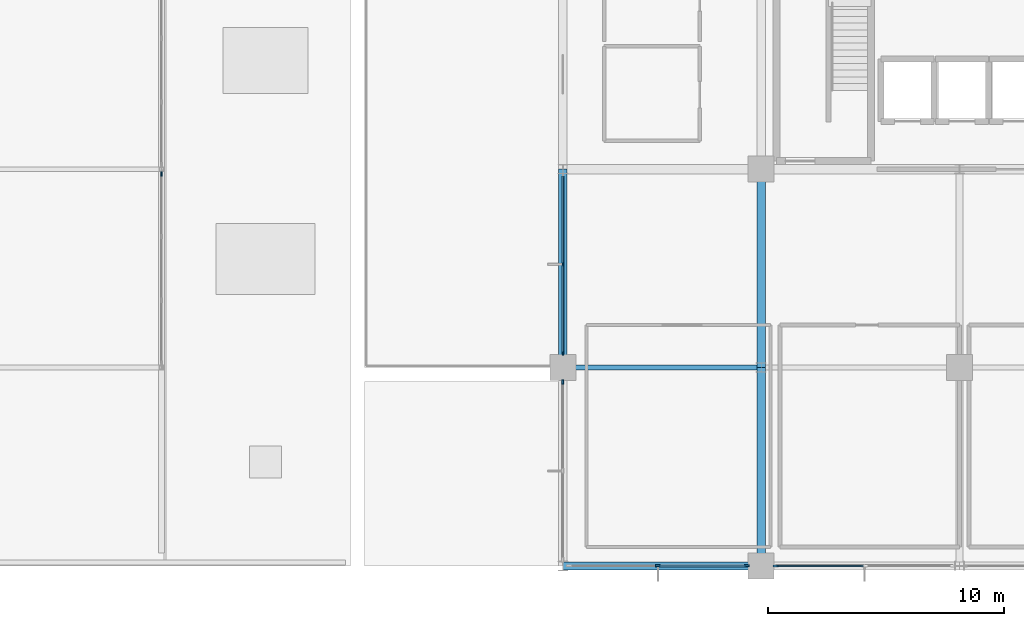
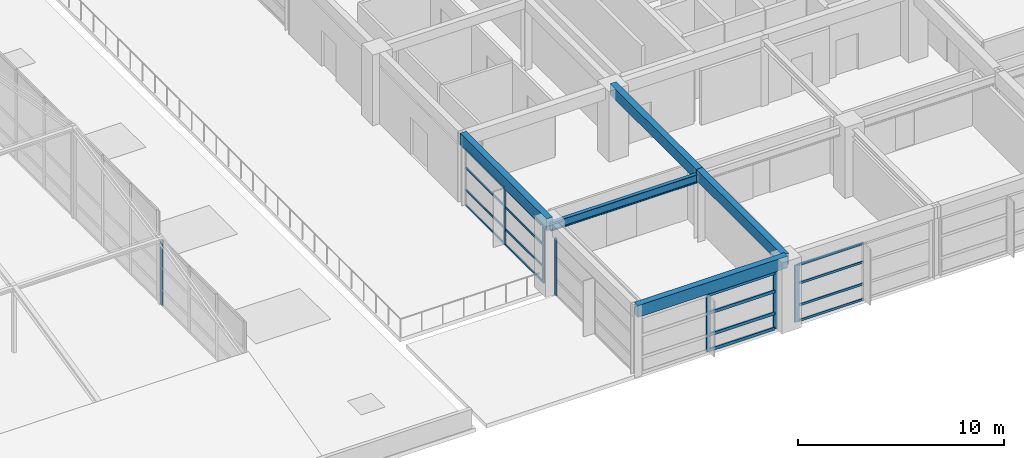
# One storey, part 17 of 34: 23 members, 5 beams, 5 elements without a shape of their own.
"""IFC4 building model written with IfcOpenShell, lengths in metres."""

import ifcopenshell
import ifcopenshell.guid

model = None  # the IFC model being written
_history = None  # IfcOwnerHistory: only IFC2X3 demands one
_inside = {}  # id of a spatial element -> (the spatial element, [elements in it])
_under = {}  # id of a project, library or spatial element -> (it, [spatial elements below it])
_declared = {}  # id of a project -> (the project, [libraries it declares])
_typed = {}  # id of a type object -> (the type object, [elements of that type])
_made_of = {}  # id of a material, layer set ... -> (it, [elements and type objects made of it])


def new_model(schema):
    """Start an empty IFC model of exactly this schema.

    Asked for "IFC4X3", IfcOpenShell would pick the latest addendum, in which some entities
    have other attributes; the version numbers below select the first issue.
    IFC2X3 requires an IfcOwnerHistory on every rooted entity: one is made here for all.
    """
    global model, _history
    if schema == "IFC4X3":
        model = ifcopenshell.file(schema_version=(4, 3, 0, 0))
    else:
        model = ifcopenshell.file(schema=schema)
    _inside.clear()
    _under.clear()
    _declared.clear()
    _typed.clear()
    _made_of.clear()
    _history = None
    if model.schema == "IFC2X3":
        org = make("IfcOrganization", Name="unknown")
        user = make(
            "IfcPersonAndOrganization",
            ThePerson=make("IfcPerson", FamilyName="unknown"),
            TheOrganization=org,
        )
        app = make(
            "IfcApplication",
            ApplicationDeveloper=org,
            Version="unknown",
            ApplicationFullName="unknown",
            ApplicationIdentifier="unknown",
        )
        _history = make(
            "IfcOwnerHistory",
            OwningUser=user,
            OwningApplication=app,
            ChangeAction="ADDED",
            CreationDate=0,
        )
    return model


def make(cls, **values):
    """One entity of the class cls with the attributes given. An attribute that is None is left unset."""
    return model.create_entity(
        cls, **{name: value for name, value in values.items() if value is not None}
    )


def rooted(cls, **values):
    """An entity with a GlobalId (a new one), such as an element, a storey or a relation."""
    return make(cls, GlobalId=ifcopenshell.guid.new(), OwnerHistory=_history, **values)


def si_unit(unit_type, name, prefix=None):
    """IfcSIUnit, for example si_unit("LENGTHUNIT", "METRE", prefix="MILLI")."""
    return make("IfcSIUnit", UnitType=unit_type, Prefix=prefix, Name=name)


def assignment(units):
    """IfcUnitAssignment: the units of a project."""
    return None if units is None else make("IfcUnitAssignment", Units=units)


def point(xyz):
    """IfcCartesianPoint."""
    return None if xyz is None else make("IfcCartesianPoint", Coordinates=xyz)


def direction(xyz):
    """IfcDirection."""
    return None if xyz is None else make("IfcDirection", DirectionRatios=xyz)


def frame(location, z_axis=None, x_axis=None):
    """IfcAxis2Placement3D, a coordinate frame: its origin and axes. An axis left out is left unset."""
    return make(
        "IfcAxis2Placement3D",
        Location=point(location),
        Axis=direction(z_axis),
        RefDirection=direction(x_axis),
    )


def frame_2d(location, x_axis=None):
    """IfcAxis2Placement2D, a coordinate frame in the plane: its origin and x axis."""
    return make(
        "IfcAxis2Placement2D", Location=point(location), RefDirection=direction(x_axis)
    )


def origin():
    """The frame at (0, 0, 0) with its axes left unset."""
    return frame((0.0, 0.0, 0.0))


def origin_2d():
    """The frame at (0, 0) in the plane with its x axis left unset."""
    return frame_2d((0.0, 0.0))


def place(relative_to, where):
    """IfcLocalPlacement: puts the frame where relative to a parent placement (None: the world)."""
    return make(
        "IfcLocalPlacement", PlacementRelTo=relative_to, RelativePlacement=where
    )


def context(
    kind, dimensions, precision=None, world=None, true_north=None, identifier=None
):
    """IfcGeometricRepresentationContext, for example the 3D "Model" context."""
    return make(
        "IfcGeometricRepresentationContext",
        ContextIdentifier=identifier,
        ContextType=kind,
        CoordinateSpaceDimension=dimensions,
        Precision=precision,
        WorldCoordinateSystem=world,
        TrueNorth=true_north,
    )


def subcontext(parent, identifier, kind, view, scale=None):
    """IfcGeometricRepresentationSubContext, for example "Body" below "Model"."""
    return make(
        "IfcGeometricRepresentationSubContext",
        ContextIdentifier=identifier,
        ContextType=kind,
        ParentContext=parent,
        TargetScale=scale,
        TargetView=view,
    )


def project(units=None, contexts=None):
    """IfcProject with its units and contexts."""
    return rooted(
        "IfcProject",
        Name="project",
        RepresentationContexts=contexts,
        UnitsInContext=assignment(units),
    )


def spatial(cls, under=None, at=None, **own):
    """A site, building, storey or space (cls), placed at a placement, below another one or the project."""
    s = rooted(cls, ObjectPlacement=at, **own)
    if under is not None:
        _under.setdefault(under.id(), (under, []))[1].append(s)
    return s


def profile(cls, at=None, kind="AREA", **sizes):
    """A parametric profile (cls). Its sizes go by their IFC names, for example OverallWidth=200.0."""
    return make(cls, ProfileType=kind, Position=at, **sizes)


def rectangle(**sizes):
    """IfcRectangleProfileDef."""
    return profile("IfcRectangleProfileDef", **sizes)


def i_section(**sizes):
    """IfcIShapeProfileDef."""
    return profile("IfcIShapeProfileDef", **sizes)


def extrude(swept, where, along, depth):
    """IfcExtrudedAreaSolid: the profile swept, set in the frame where, extruded along a direction by depth."""
    return make(
        "IfcExtrudedAreaSolid",
        SweptArea=swept,
        Position=where,
        ExtrudedDirection=direction(along),
        Depth=depth,
    )


def shape(context_of_items, identifier, shape_type, items):
    """IfcShapeRepresentation: the items that make up one representation, for example the "Body"."""
    return make(
        "IfcShapeRepresentation",
        ContextOfItems=context_of_items,
        RepresentationIdentifier=identifier,
        RepresentationType=shape_type,
        Items=items,
    )


def material(Name=None, Category=None):
    """IfcMaterial."""
    return make("IfcMaterial", Name=Name, Category=Category)


def material_profile(
    of_material, cross_section, Name=None, Category=None, Priority=None
):
    """IfcMaterialProfile: a cross section and its material."""
    return make(
        "IfcMaterialProfile",
        Name=Name,
        Material=of_material,
        Profile=cross_section,
        Priority=Priority,
        Category=Category,
    )


def profile_set(profiles, Name=None, composite=None):
    """IfcMaterialProfileSet."""
    return make(
        "IfcMaterialProfileSet",
        Name=Name,
        MaterialProfiles=profiles,
        CompositeProfile=composite,
    )


def made_of(thing, what):
    """Note that an element or type object is made of a material, layer set ...; save() writes the relation."""
    if what is not None:
        _made_of.setdefault(what.id(), (what, []))[1].append(thing)
    return thing


def type_object(cls, material=None, **own):
    """A type object (cls), such as IfcWallType, which elements share."""
    return made_of(rooted(cls, **own), material)


def element(
    cls,
    number,
    at=None,
    inside=None,
    cuts=None,
    type_object=None,
    material=None,
    context=None,
    identifier="Body",
    shape_type=None,
    held_by="IfcProductDefinitionShape",
    body=None,
    shapes=None,
    **own,
):
    """One element of the class cls, such as IfcWall. Its Tag is "e" and its number.

    at: its placement. inside: the storey or other place that contains it. cuts: it is an
    opening in that element (IfcRelVoidsElement). A single representation is given by context,
    identifier, shape_type and body (its items); several are given by shapes. held_by: the class
    of the entity that holds the representations. save() writes the other relations.
    """
    e = rooted(cls, Tag="e%d" % number, ObjectPlacement=at, **own)
    if body is not None:
        shapes = [shape(context, identifier, shape_type, body)]
    if shapes is not None:
        e.Representation = make(held_by, Representations=shapes)
    if inside is not None:
        _inside.setdefault(inside.id(), (inside, []))[1].append(e)
    if cuts is not None:
        rooted(
            "IfcRelVoidsElement", RelatingBuildingElement=cuts, RelatedOpeningElement=e
        )
    if type_object is not None:
        _typed.setdefault(type_object.id(), (type_object, []))[1].append(e)
    return made_of(e, material)


def aggregate(whole, parts):
    """IfcRelAggregates: a whole, such as a stair, and the parts it consists of."""
    return rooted("IfcRelAggregates", RelatingObject=whole, RelatedObjects=parts)


def save(model, path):
    """Write the relations noted so far, then the file.

    IfcRelAggregates (storeys below a building ...), IfcRelContainedInSpatialStructure (elements
    in a storey), IfcRelDefinesByType, IfcRelAssociatesMaterial and IfcRelDeclares: one each for
    every whole, place, type object, material and project.
    """
    for whole, parts in _under.values():
        aggregate(whole, parts)
    for where, things in _inside.values():
        rooted(
            "IfcRelContainedInSpatialStructure",
            RelatedElements=things,
            RelatingStructure=where,
        )
    for kind, things in _typed.values():
        rooted("IfcRelDefinesByType", RelatedObjects=things, RelatingType=kind)
    for what, things in _made_of.values():
        rooted("IfcRelAssociatesMaterial", RelatedObjects=things, RelatingMaterial=what)
    for by, libraries in _declared.values():
        rooted("IfcRelDeclares", RelatingContext=by, RelatedDefinitions=libraries)
    model.write(path)


model = new_model("IFC4")

# Units and contexts
model_context = context("Model", 3, precision=1e-05, world=origin(), true_north=direction((0.0, 1.0)))
body_context = subcontext(model_context, "Body", "Model", "MODEL_VIEW")
ifc_project = project(units=[si_unit("LENGTHUNIT", "METRE"), si_unit("AREAUNIT", "SQUARE_METRE"), si_unit("VOLUMEUNIT", "CUBIC_METRE"), si_unit("PLANEANGLEUNIT", "RADIAN"), si_unit("MASSUNIT", "GRAM", prefix="KILO")], contexts=[model_context])

# Site, building, storey
site_placement = place(None, origin())
site = spatial("IfcSite", under=ifc_project, at=site_placement, CompositionType="ELEMENT")
building_placement = place(site_placement, origin())
building = spatial("IfcBuilding", under=site, at=building_placement, Name="Xuanlan Plaza Opera House", CompositionType="ELEMENT")
storey_placement = place(building_placement, frame((0.0, 0.0, 27.89990234375)))
storey = spatial("IfcBuildingStorey", under=building, at=storey_placement, Name="L06", CompositionType="ELEMENT", Elevation=27.89990234375)

# Curtain wall, members
ifc_material_1 = material(Name="Anodised Aluminium 6063-T6 and Low-E Glass", Category="aluminium")
curtain_wall_type_1 = type_object("IfcCurtainWallType", Name="ENV-CW-CW-03", PredefinedType="USERDEFINED", material=ifc_material_1)
curtain_wall_1_placement = place(storey_placement, origin())
curtain_wall_1 = element("IfcCurtainWall", 1, at=curtain_wall_1_placement, inside=storey, type_object=curtain_wall_type_1, Name="Unitised Curtain Wall L06-019", ObjectType="UNITISED CURTAIN WALL", PredefinedType="USERDEFINED")
ifc_material_2 = material(Name="Anodised Aluminium 6063-T6", Category="aluminium")
ifc_material_profile_1 = material_profile(ifc_material_2, rectangle(XDim=0.070068359375, YDim=0.179931640625, at=origin_2d()), Name="ALU-M 70x180")
ifc_profile_set_1 = profile_set([ifc_material_profile_1], Name="Anodised Aluminium 6063-T6")
member_type_1 = type_object("IfcMemberType", Name="ENV-CWM-02", PredefinedType="MULLION", material=ifc_profile_set_1)
member_1_placement = place(storey_placement, frame((126.0, 46.375, 0.0), z_axis=(0.0, 0.0, 1.0), x_axis=(1.0, 0.0, 0.0)))
member_1 = element("IfcMember", 2, at=member_1_placement, type_object=member_type_1, Name="CW-03 mullion 2", PredefinedType="MULLION", context=body_context, shape_type="SweptSolid", body=[
    extrude(rectangle(XDim=0.070068359375, YDim=0.179931640625, at=origin_2d()), origin(), (0.0, 0.0, 1.0), 3.380126953125),
])
member_2_placement = place(storey_placement, frame((126.0, 42.60498046875, 0.0), z_axis=(0.0, 0.0, 1.0), x_axis=(1.0, 0.0, 0.0)))
member_2 = element("IfcMember", 3, at=member_2_placement, type_object=member_type_1, Name="CW-03 mullion 3", PredefinedType="MULLION", context=body_context, shape_type="SweptSolid", body=[
    extrude(rectangle(XDim=0.070068359375, YDim=0.179931640625, at=origin_2d()), origin(), (0.0, 0.0, 1.0), 3.380126953125),
])

# Curtain wall, member
curtain_wall_type_2 = type_object("IfcCurtainWallType", Name="ENV-CW-CW-04", PredefinedType="USERDEFINED", material=ifc_material_1)
curtain_wall_2_placement = place(storey_placement, origin())
curtain_wall_2 = element("IfcCurtainWall", 4, at=curtain_wall_2_placement, inside=storey, type_object=curtain_wall_type_2, Name="Unitised Curtain Wall L06-020", ObjectType="UNITISED CURTAIN WALL", PredefinedType="USERDEFINED")
ifc_material_profile_2 = material_profile(ifc_material_2, rectangle(XDim=0.074951171875, YDim=0.199951171875, at=origin_2d()), Name="ALU-M 75x200")
ifc_profile_set_2 = profile_set([ifc_material_profile_2], Name="Anodised Aluminium 6063-T6")
member_type_2 = type_object("IfcMemberType", Name="ENV-CWM-03", PredefinedType="MULLION", material=ifc_profile_set_2)
member_3_placement = place(storey_placement, frame((126.0, 41.392578125, 0.0), z_axis=(0.0, 0.0, 1.0), x_axis=(1.0, 0.0, 0.0)))
member_3 = element("IfcMember", 5, at=member_3_placement, type_object=member_type_2, Name="CW-04 mullion 1", PredefinedType="MULLION", context=body_context, shape_type="SweptSolid", body=[
    extrude(rectangle(XDim=0.074951171875, YDim=0.199951171875, at=origin_2d()), origin(), (0.0, 0.0, 1.0), 3.380126953125),
])
aggregate(curtain_wall_2, [member_3])

curtain_wall_type_3 = type_object("IfcCurtainWallType", Name="ENV-CW-CW-06", PredefinedType="USERDEFINED", material=ifc_material_1)
curtain_wall_3_placement = place(storey_placement, origin())
curtain_wall_3 = element("IfcCurtainWall", 6, at=curtain_wall_3_placement, inside=storey, type_object=curtain_wall_type_3, Name="Acoustic Glazed Wall SHL-L06-01", ObjectType="ACOUSTIC GLAZED WALL", PredefinedType="USERDEFINED")
member_4_placement = place(storey_placement, frame((109.0, 50.21240234375, 0.0), z_axis=(0.0, 0.0, 1.0), x_axis=(-1.0, 0.0, 0.0)))
member_4 = element("IfcMember", 7, at=member_4_placement, type_object=member_type_2, Name="CW-06 mullion 4", PredefinedType="MULLION", context=body_context, shape_type="SweptSolid", body=[
    extrude(rectangle(XDim=0.074951171875, YDim=0.199951171875, at=origin_2d()), origin(), (0.0, 0.0, 1.0), 3.900146484375),
])
aggregate(curtain_wall_3, [member_4])

# Curtain wall, members
curtain_wall_type_4 = type_object("IfcCurtainWallType", Name="ENV-CW-CW-01", PredefinedType="USERDEFINED", material=ifc_material_1)
curtain_wall_4_placement = place(storey_placement, origin())
curtain_wall_4 = element("IfcCurtainWall", 8, at=curtain_wall_4_placement, inside=storey, type_object=curtain_wall_type_4, Name="Unitised Curtain Wall L06-001", ObjectType="UNITISED CURTAIN WALL", PredefinedType="USERDEFINED")
ifc_material_profile_3 = material_profile(ifc_material_2, rectangle(XDim=0.080078125, YDim=0.219970703125, at=origin_2d()), Name="ALU-M 80x220")
ifc_profile_set_3 = profile_set([ifc_material_profile_3], Name="Anodised Aluminium 6063-T6")
member_type_3 = type_object("IfcMemberType", Name="ENV-CWM-04", PredefinedType="MULLION", material=ifc_profile_set_3)
member_5_placement = place(storey_placement, frame((130.02490234375, 33.60009765625, 0.0), z_axis=(0.0, 0.0, 1.0), x_axis=(0.0, 1.0, 0.0)))
member_5 = element("IfcMember", 9, at=member_5_placement, type_object=member_type_3, Name="CW-01 mullion 2", PredefinedType="MULLION", context=body_context, shape_type="SweptSolid", body=[
    extrude(rectangle(XDim=0.080078125, YDim=0.219970703125, at=origin_2d()), origin(), (0.0, 0.0, 1.0), 3.380126953125),
])
member_6_placement = place(storey_placement, frame((133.7900390625, 33.60009765625, 0.0), z_axis=(0.0, 0.0, 1.0), x_axis=(0.0, 1.0, 0.0)))
member_6 = element("IfcMember", 10, at=member_6_placement, type_object=member_type_3, Name="CW-01 mullion 3", PredefinedType="MULLION", context=body_context, shape_type="SweptSolid", body=[
    extrude(rectangle(XDim=0.080078125, YDim=0.219970703125, at=origin_2d()), origin(), (0.0, 0.0, 1.0), 3.380126953125),
])

# Curtain wall, member
curtain_wall_type_5 = type_object("IfcCurtainWallType", Name="ENV-CW-CW-02", PredefinedType="USERDEFINED", material=ifc_material_1)
curtain_wall_5_placement = place(storey_placement, origin())
curtain_wall_5 = element("IfcCurtainWall", 11, at=curtain_wall_5_placement, inside=storey, type_object=curtain_wall_type_5, Name="Unitised Curtain Wall L06-002", ObjectType="UNITISED CURTAIN WALL", PredefinedType="USERDEFINED")
ifc_material_profile_4 = material_profile(ifc_material_2, rectangle(XDim=0.090087890625, YDim=0.25, at=origin_2d()), Name="ALU-M 90x250")
ifc_profile_set_4 = profile_set([ifc_material_profile_4], Name="Anodised Aluminium 6063-T6")
member_type_4 = type_object("IfcMemberType", Name="ENV-CWM-05", PredefinedType="MULLION", material=ifc_profile_set_4)
member_7_placement = place(storey_placement, frame((135.014892578125, 33.60009765625, 0.0), z_axis=(0.0, 0.0, 1.0), x_axis=(0.0, 1.0, 0.0)))
member_7 = element("IfcMember", 12, at=member_7_placement, type_object=member_type_4, Name="CW-02 mullion 1", PredefinedType="MULLION", context=body_context, shape_type="SweptSolid", body=[
    extrude(rectangle(XDim=0.090087890625, YDim=0.25, at=origin_2d()), origin(), (0.0, 0.0, 1.0), 3.380126953125),
])

# Member
ifc_material_profile_5 = material_profile(ifc_material_2, rectangle(XDim=0.06494140625, YDim=0.1201171875, at=origin_2d()), Name="ALU-T 65x120")
ifc_profile_set_5 = profile_set([ifc_material_profile_5], Name="Anodised Aluminium 6063-T6")
member_type_5 = type_object("IfcMemberType", Name="ENV-CWT-01", PredefinedType="USERDEFINED", material=ifc_profile_set_5)
member_8_placement = place(storey_placement, frame((126.0, 50.110107421875, 0.03271484375), z_axis=(0.0, -1.0, 0.0), x_axis=(1.0, 0.0, 0.0)))
member_8 = element("IfcMember", 13, at=member_8_placement, type_object=member_type_5, Name="CW-03 transom 1.1", ObjectType="TRANSOM", PredefinedType="USERDEFINED", context=body_context, shape_type="SweptSolid", body=[
    extrude(rectangle(XDim=0.06494140625, YDim=0.1201171875, at=origin_2d()), origin(), (0.0, 0.0, 1.0), 3.7001953125),
])

member_9_placement = place(storey_placement, frame((126.0, 50.110107421875, 0.9501953125), z_axis=(0.0, -1.0, 0.0), x_axis=(1.0, 0.0, 0.0)))
member_9 = element("IfcMember", 14, at=member_9_placement, type_object=member_type_5, Name="CW-03 transom 1.2", ObjectType="TRANSOM", PredefinedType="USERDEFINED", context=body_context, shape_type="SweptSolid", body=[
    extrude(rectangle(XDim=0.06494140625, YDim=0.1201171875, at=origin_2d()), origin(), (0.0, 0.0, 1.0), 3.7001953125),
])

member_10_placement = place(storey_placement, frame((126.0, 50.110107421875, 2.25), z_axis=(0.0, -1.0, 0.0), x_axis=(1.0, 0.0, 0.0)))
member_10 = element("IfcMember", 15, at=member_10_placement, type_object=member_type_5, Name="CW-03 transom 1.3", ObjectType="TRANSOM", PredefinedType="USERDEFINED", context=body_context, shape_type="SweptSolid", body=[
    extrude(rectangle(XDim=0.06494140625, YDim=0.1201171875, at=origin_2d()), origin(), (0.0, 0.0, 1.0), 3.7001953125),
])

member_11_placement = place(storey_placement, frame((126.0, 50.110107421875, 3.34765625), z_axis=(0.0, -1.0, 0.0), x_axis=(1.0, 0.0, 0.0)))
member_11 = element("IfcMember", 16, at=member_11_placement, type_object=member_type_5, Name="CW-03 transom 1.4", ObjectType="TRANSOM", PredefinedType="USERDEFINED", context=body_context, shape_type="SweptSolid", body=[
    extrude(rectangle(XDim=0.06494140625, YDim=0.1201171875, at=origin_2d()), origin(), (0.0, 0.0, 1.0), 3.7001953125),
])

member_12_placement = place(storey_placement, frame((126.0, 46.340087890625, 0.03271484375), z_axis=(0.0, -1.0, 0.0), x_axis=(1.0, 0.0, 0.0)))
member_12 = element("IfcMember", 17, at=member_12_placement, type_object=member_type_5, Name="CW-03 transom 2.1", ObjectType="TRANSOM", PredefinedType="USERDEFINED", context=body_context, shape_type="SweptSolid", body=[
    extrude(rectangle(XDim=0.06494140625, YDim=0.1201171875, at=origin_2d()), origin(), (0.0, 0.0, 1.0), 3.7001953125),
])

member_13_placement = place(storey_placement, frame((126.0, 46.340087890625, 0.9501953125), z_axis=(0.0, -1.0, 0.0), x_axis=(1.0, 0.0, 0.0)))
member_13 = element("IfcMember", 18, at=member_13_placement, type_object=member_type_5, Name="CW-03 transom 2.2", ObjectType="TRANSOM", PredefinedType="USERDEFINED", context=body_context, shape_type="SweptSolid", body=[
    extrude(rectangle(XDim=0.06494140625, YDim=0.1201171875, at=origin_2d()), origin(), (0.0, 0.0, 1.0), 3.7001953125),
])

member_14_placement = place(storey_placement, frame((126.0, 46.340087890625, 2.25), z_axis=(0.0, -1.0, 0.0), x_axis=(1.0, 0.0, 0.0)))
member_14 = element("IfcMember", 19, at=member_14_placement, type_object=member_type_5, Name="CW-03 transom 2.3", ObjectType="TRANSOM", PredefinedType="USERDEFINED", context=body_context, shape_type="SweptSolid", body=[
    extrude(rectangle(XDim=0.06494140625, YDim=0.1201171875, at=origin_2d()), origin(), (0.0, 0.0, 1.0), 3.7001953125),
])

member_15_placement = place(storey_placement, frame((126.0, 46.340087890625, 3.34765625), z_axis=(0.0, -1.0, 0.0), x_axis=(1.0, 0.0, 0.0)))
member_15 = element("IfcMember", 20, at=member_15_placement, type_object=member_type_5, Name="CW-03 transom 2.4", ObjectType="TRANSOM", PredefinedType="USERDEFINED", context=body_context, shape_type="SweptSolid", body=[
    extrude(rectangle(XDim=0.06494140625, YDim=0.1201171875, at=origin_2d()), origin(), (0.0, 0.0, 1.0), 3.7001953125),
])

aggregate(curtain_wall_1, [member_1, member_2, member_8, member_9, member_10, member_11, member_12, member_13, member_14, member_15])

ifc_material_profile_6 = material_profile(ifc_material_2, rectangle(XDim=0.070068359375, YDim=0.135009765625, at=origin_2d()), Name="ALU-T 70x135")
ifc_profile_set_6 = profile_set([ifc_material_profile_6], Name="Anodised Aluminium 6063-T6")
member_type_6 = type_object("IfcMemberType", Name="ENV-CWT-02", PredefinedType="USERDEFINED", material=ifc_profile_set_6)
member_16_placement = place(storey_placement, frame((135.06005859375, 33.60009765625, 0.03515625), z_axis=(1.0, 0.0, 0.0), x_axis=(0.0, 1.0, 0.0)))
member_16 = element("IfcMember", 21, at=member_16_placement, type_object=member_type_6, Name="CW-02 transom 1.1", ObjectType="TRANSOM", PredefinedType="USERDEFINED", context=body_context, shape_type="SweptSolid", body=[
    extrude(rectangle(XDim=0.070068359375, YDim=0.135009765625, at=origin_2d()), origin(), (0.0, 0.0, 1.0), 3.669921875),
])

member_17_placement = place(storey_placement, frame((135.06005859375, 33.60009765625, 0.9501953125), z_axis=(1.0, 0.0, 0.0), x_axis=(0.0, 1.0, 0.0)))
member_17 = element("IfcMember", 22, at=member_17_placement, type_object=member_type_6, Name="CW-02 transom 1.2", ObjectType="TRANSOM", PredefinedType="USERDEFINED", context=body_context, shape_type="SweptSolid", body=[
    extrude(rectangle(XDim=0.070068359375, YDim=0.135009765625, at=origin_2d()), origin(), (0.0, 0.0, 1.0), 3.669921875),
])

member_18_placement = place(storey_placement, frame((135.06005859375, 33.60009765625, 2.25), z_axis=(1.0, 0.0, 0.0), x_axis=(0.0, 1.0, 0.0)))
member_18 = element("IfcMember", 23, at=member_18_placement, type_object=member_type_6, Name="CW-02 transom 1.3", ObjectType="TRANSOM", PredefinedType="USERDEFINED", context=body_context, shape_type="SweptSolid", body=[
    extrude(rectangle(XDim=0.070068359375, YDim=0.135009765625, at=origin_2d()), origin(), (0.0, 0.0, 1.0), 3.669921875),
])

member_19_placement = place(storey_placement, frame((135.06005859375, 33.60009765625, 3.34521484375), z_axis=(1.0, 0.0, 0.0), x_axis=(0.0, 1.0, 0.0)))
member_19 = element("IfcMember", 24, at=member_19_placement, type_object=member_type_6, Name="CW-02 transom 1.4", ObjectType="TRANSOM", PredefinedType="USERDEFINED", context=body_context, shape_type="SweptSolid", body=[
    extrude(rectangle(XDim=0.070068359375, YDim=0.135009765625, at=origin_2d()), origin(), (0.0, 0.0, 1.0), 3.669921875),
])

aggregate(curtain_wall_5, [member_7, member_16, member_17, member_18, member_19])

ifc_material_profile_7 = material_profile(ifc_material_2, rectangle(XDim=0.090087890625, YDim=0.179931640625, at=origin_2d()), Name="ALU-T 90x180")
ifc_profile_set_7 = profile_set([ifc_material_profile_7], Name="Anodised Aluminium 6063-T6")
member_type_7 = type_object("IfcMemberType", Name="ENV-CWT-05", PredefinedType="USERDEFINED", material=ifc_profile_set_7)
member_20_placement = place(storey_placement, frame((130.06494140625, 33.60009765625, 0.045166015625), z_axis=(1.0, 0.0, 0.0), x_axis=(0.0, 1.0, 0.0)))
member_20 = element("IfcMember", 25, at=member_20_placement, type_object=member_type_7, Name="CW-01 transom 2.1", ObjectType="TRANSOM", PredefinedType="USERDEFINED", context=body_context, shape_type="SweptSolid", body=[
    extrude(rectangle(XDim=0.090087890625, YDim=0.179931640625, at=origin_2d()), origin(), (0.0, 0.0, 1.0), 3.68505859375),
])

member_21_placement = place(storey_placement, frame((130.06494140625, 33.60009765625, 0.9501953125), z_axis=(1.0, 0.0, 0.0), x_axis=(0.0, 1.0, 0.0)))
member_21 = element("IfcMember", 26, at=member_21_placement, type_object=member_type_7, Name="CW-01 transom 2.2", ObjectType="TRANSOM", PredefinedType="USERDEFINED", context=body_context, shape_type="SweptSolid", body=[
    extrude(rectangle(XDim=0.090087890625, YDim=0.179931640625, at=origin_2d()), origin(), (0.0, 0.0, 1.0), 3.68505859375),
])

member_22_placement = place(storey_placement, frame((130.06494140625, 33.60009765625, 2.25), z_axis=(1.0, 0.0, 0.0), x_axis=(0.0, 1.0, 0.0)))
member_22 = element("IfcMember", 27, at=member_22_placement, type_object=member_type_7, Name="CW-01 transom 2.3", ObjectType="TRANSOM", PredefinedType="USERDEFINED", context=body_context, shape_type="SweptSolid", body=[
    extrude(rectangle(XDim=0.090087890625, YDim=0.179931640625, at=origin_2d()), origin(), (0.0, 0.0, 1.0), 3.68505859375),
])

member_23_placement = place(storey_placement, frame((130.06494140625, 33.60009765625, 3.335205078125), z_axis=(1.0, 0.0, 0.0), x_axis=(0.0, 1.0, 0.0)))
member_23 = element("IfcMember", 28, at=member_23_placement, type_object=member_type_7, Name="CW-01 transom 2.4", ObjectType="TRANSOM", PredefinedType="USERDEFINED", context=body_context, shape_type="SweptSolid", body=[
    extrude(rectangle(XDim=0.090087890625, YDim=0.179931640625, at=origin_2d()), origin(), (0.0, 0.0, 1.0), 3.68505859375),
])

aggregate(curtain_wall_4, [member_5, member_6, member_20, member_21, member_22, member_23])

# Beams
ifc_material_3 = material(Name="Concrete C40", Category="concrete")
ifc_material_profile_8 = material_profile(ifc_material_3, rectangle(XDim=0.35009765625, YDim=0.64990234375, at=origin_2d()), Name="RC-BM 350x650")
ifc_profile_set_8 = profile_set([ifc_material_profile_8], Name="Concrete C40")
beam_type_1 = type_object("IfcBeamType", Name="STR-BM-B-08", PredefinedType="BEAM", material=ifc_profile_set_8)
for number, where, z_axis, x_axis, name in (
    (29, (134.39990234375, 33.60009765625, 3.875), (0.0, 1.0, 0.0), (-1.0, 0.0, 0.0), "Grid Beam Y L06 17/E-F"),
    (30, (134.39990234375, 42.0, 3.875), (0.0, 1.0, 0.0), (-1.0, 0.0, 0.0), "Grid Beam Y L06 17/F-G"),
):
    element("IfcBeam", number, at=place(storey_placement, frame(where, z_axis=z_axis, x_axis=x_axis)), inside=storey, type_object=beam_type_1, Name=name, PredefinedType="BEAM", context=body_context, shape_type="SweptSolid", body=[
        extrude(rectangle(XDim=0.35009765625, YDim=0.64990234375, at=origin_2d()), origin(), (0.0, 0.0, 1.0), 8.39990234375),
    ])
ifc_material_4 = material(Name="Steel Q355B", Category="steel")
ifc_material_profile_9 = material_profile(ifc_material_4, i_section(OverallWidth=0.199951171875, OverallDepth=0.5, WebThickness=0.010009765625, FlangeThickness=0.01611328125, FilletRadius=0.02001953125, at=origin_2d()), Name="HN 500x200x10x16")
ifc_profile_set_9 = profile_set([ifc_material_profile_9], Name="Steel Q355B")
beam_type_2 = type_object("IfcBeamType", Name="STR-BM-SB-05", PredefinedType="BEAM", material=ifc_profile_set_9)
beam_placement = place(storey_placement, frame((126.0, 42.0, 3.705078125), z_axis=(1.0, 0.0, 0.0), x_axis=(0.0, 1.0, 0.0)))
element("IfcBeam", 31, at=beam_placement, inside=storey, type_object=beam_type_2, Name="Grid Beam X L06 16-17/F", PredefinedType="BEAM", context=body_context, shape_type="SweptSolid", body=[
    extrude(i_section(OverallWidth=0.199951171875, OverallDepth=0.5, WebThickness=0.010009765625, FlangeThickness=0.01611328125, FilletRadius=0.02001953125, at=origin_2d()), origin(), (0.0, 0.0, 1.0), 8.39990234375),
])
ifc_material_profile_10 = material_profile(ifc_material_3, rectangle(XDim=0.35009765625, YDim=0.699951171875, at=origin_2d()), Name="RC-SPD 350x700")
ifc_profile_set_10 = profile_set([ifc_material_profile_10], Name="Concrete C40")
beam_type_3 = type_object("IfcBeamType", Name="STR-BM-SP-02", PredefinedType="SPANDREL", material=ifc_profile_set_10)
for number, where, z_axis, x_axis, name in (
    (32, (126.0, 33.60009765625, 3.85009765625), (1.0, 0.0, 0.0), (0.0, 1.0, 0.0), "Grid Beam X L06 16-17/E"),
    (33, (126.0, 42.0, 3.85009765625), (0.0, 1.0, 0.0), (-1.0, 0.0, 0.0), "Grid Beam Y L06 16/F-G"),
):
    element("IfcBeam", number, at=place(storey_placement, frame(where, z_axis=z_axis, x_axis=x_axis)), inside=storey, type_object=beam_type_3, Name=name, PredefinedType="SPANDREL", context=body_context, shape_type="SweptSolid", body=[
        extrude(rectangle(XDim=0.35009765625, YDim=0.699951171875, at=origin_2d()), origin(), (0.0, 0.0, 1.0), 8.39990234375),
    ])

save(model, "model.ifc")
